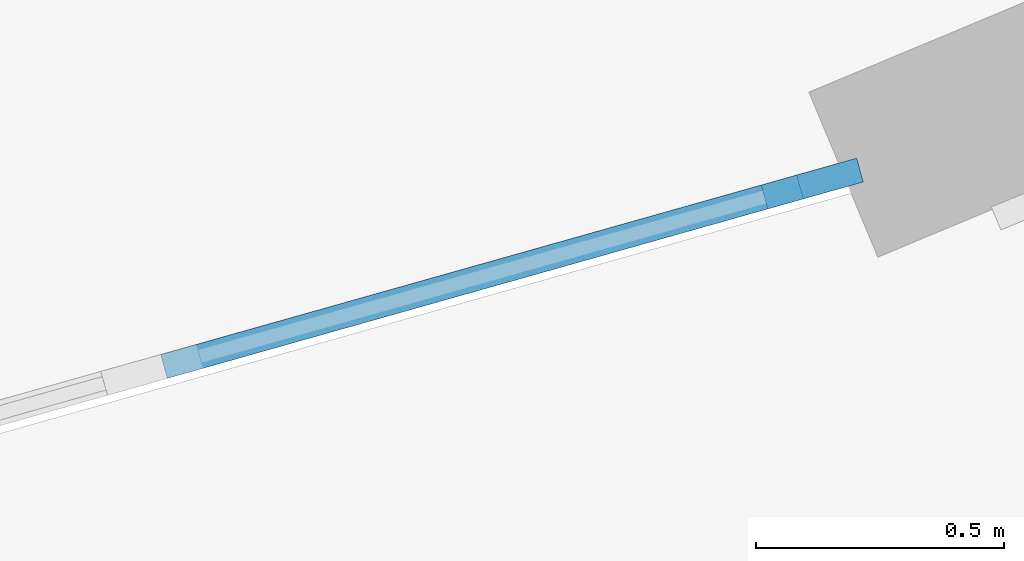
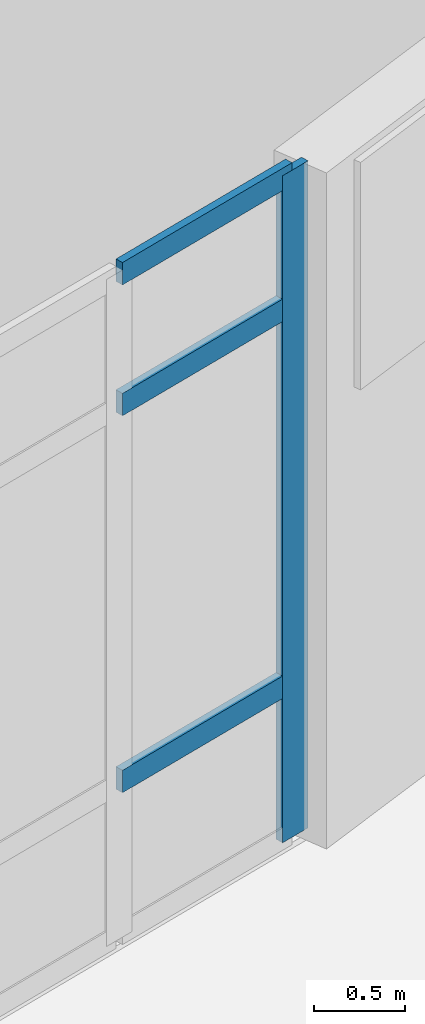
# One storey, part 34 of 84: 4 members, 1 element without a shape of its own.
"""IFC4 building model written with IfcOpenShell, lengths in metres."""

from ifc_helpers import new_model, si_unit, direction, frame, origin, origin_2d, place, context, subcontext, project, spatial, rectangle, extrude, material, material_profile, profile_set, type_object, element, aggregate, save


model = new_model("IFC4")

# Units and contexts
model_context = context("Model", 3, precision=1e-05, world=origin(), true_north=direction((0.0, 1.0)))
body_context = subcontext(model_context, "Body", "Model", "MODEL_VIEW")
ifc_project = project(units=[si_unit("LENGTHUNIT", "METRE"), si_unit("AREAUNIT", "SQUARE_METRE"), si_unit("VOLUMEUNIT", "CUBIC_METRE"), si_unit("PLANEANGLEUNIT", "RADIAN"), si_unit("MASSUNIT", "GRAM", prefix="KILO")], contexts=[model_context])

# Site, building, storey
site_placement = place(None, origin())
site = spatial("IfcSite", under=ifc_project, at=site_placement, CompositionType="ELEMENT")
building_placement = place(site_placement, origin())
building = spatial("IfcBuilding", under=site, at=building_placement, Name="Glasvene Arena", CompositionType="ELEMENT")
storey_placement = place(building_placement, frame((0.0, 0.0, 10.199951171875)))
storey = spatial("IfcBuildingStorey", under=building, at=storey_placement, Name="L02", CompositionType="ELEMENT", Elevation=10.199951171875)

# Curtain wall, members
ifc_material_1 = material(Name="Low-emissivity laminated double glazing", Category="glass")
curtain_wall_type = type_object("IfcCurtainWallType", Name="CW-FAC-L02-985x446", PredefinedType="USERDEFINED", material=ifc_material_1)
curtain_wall_placement = place(storey_placement, frame((122.87939453125, 30.98291015625, 0.0)))
curtain_wall = element("IfcCurtainWall", 1, at=curtain_wall_placement, inside=storey, type_object=curtain_wall_type, Name="Unitised curtain wall CW-F-L02-180-1181-296-46", ObjectType="CURTAIN WALL", PredefinedType="USERDEFINED")
ifc_material_2 = material(Name="Anodised architectural aluminium", Category="aluminium")
ifc_material_profile_1 = material_profile(ifc_material_2, rectangle(XDim=0.050048828125, YDim=0.199951171875, at=origin_2d()), Name="ALU MULLION 50x200")
ifc_profile_set_1 = profile_set([ifc_material_profile_1], Name="Anodised architectural aluminium")
member_type_1 = type_object("IfcMemberType", Name="CW-MUL-180", PredefinedType="MULLION", material=ifc_profile_set_1)
member_1_placement = place(storey_placement, frame((122.85546875, 30.97607421875, 0.06005859375), z_axis=(0.0, 0.0, 1.0), x_axis=(0.271597167979, -0.962411023599, 0.0)))
member_1 = element("IfcMember", 2, at=member_1_placement, type_object=member_type_1, Name="CW-026 mullion 1", PredefinedType="MULLION", context=body_context, shape_type="SweptSolid", body=[
    extrude(rectangle(XDim=0.050048828125, YDim=0.199951171875, at=origin_2d()), origin(), (0.0, 0.0, 1.0), 4.4599609375),
])
ifc_material_profile_2 = material_profile(ifc_material_2, rectangle(XDim=0.050048828125, YDim=0.14990234375, at=origin_2d()), Name="ALU TRANSOM 50x150")
ifc_profile_set_2 = profile_set([ifc_material_profile_2], Name="Anodised architectural aluminium")
member_type_2 = type_object("IfcMemberType", Name="CW-TRN-150", PredefinedType="USERDEFINED", material=ifc_profile_set_2)
member_2_placement = place(storey_placement, frame((122.831298828125, 30.96923828125, 1.10009765625), z_axis=(-0.962425105737, -0.27154726264, 0.0), x_axis=(0.27154726264, -0.962425105737, 0.0)))
member_2 = element("IfcMember", 3, at=member_2_placement, type_object=member_type_2, Name="CW-026 transom 1.2", ObjectType="TRANSOM", PredefinedType="USERDEFINED", context=body_context, shape_type="SweptSolid", body=[
    extrude(rectangle(XDim=0.050048828125, YDim=0.14990234375, at=origin_2d()), origin(), (0.0, 0.0, 1.0), 1.33154296875),
])
member_3_placement = place(storey_placement, frame((122.831298828125, 30.96923828125, 3.6201171875), z_axis=(-0.962425105737, -0.27154726264, 0.0), x_axis=(0.27154726264, -0.962425105737, 0.0)))
member_3 = element("IfcMember", 4, at=member_3_placement, type_object=member_type_2, Name="CW-026 transom 1.3", ObjectType="TRANSOM", PredefinedType="USERDEFINED", context=body_context, shape_type="SweptSolid", body=[
    extrude(rectangle(XDim=0.050048828125, YDim=0.14990234375, at=origin_2d()), origin(), (0.0, 0.0, 1.0), 1.33154296875),
])
member_4_placement = place(storey_placement, frame((122.831298828125, 30.96923828125, 4.4951171875), z_axis=(-0.962425105737, -0.27154726264, 0.0), x_axis=(0.27154726264, -0.962425105737, 0.0)))
member_4 = element("IfcMember", 5, at=member_4_placement, type_object=member_type_2, Name="CW-026 transom 1.4", ObjectType="TRANSOM", PredefinedType="USERDEFINED", context=body_context, shape_type="SweptSolid", body=[
    extrude(rectangle(XDim=0.050048828125, YDim=0.14990234375, at=origin_2d()), origin(), (0.0, 0.0, 1.0), 1.33154296875),
])
aggregate(curtain_wall, [member_1, member_2, member_3, member_4])

save(model, "model.ifc")
